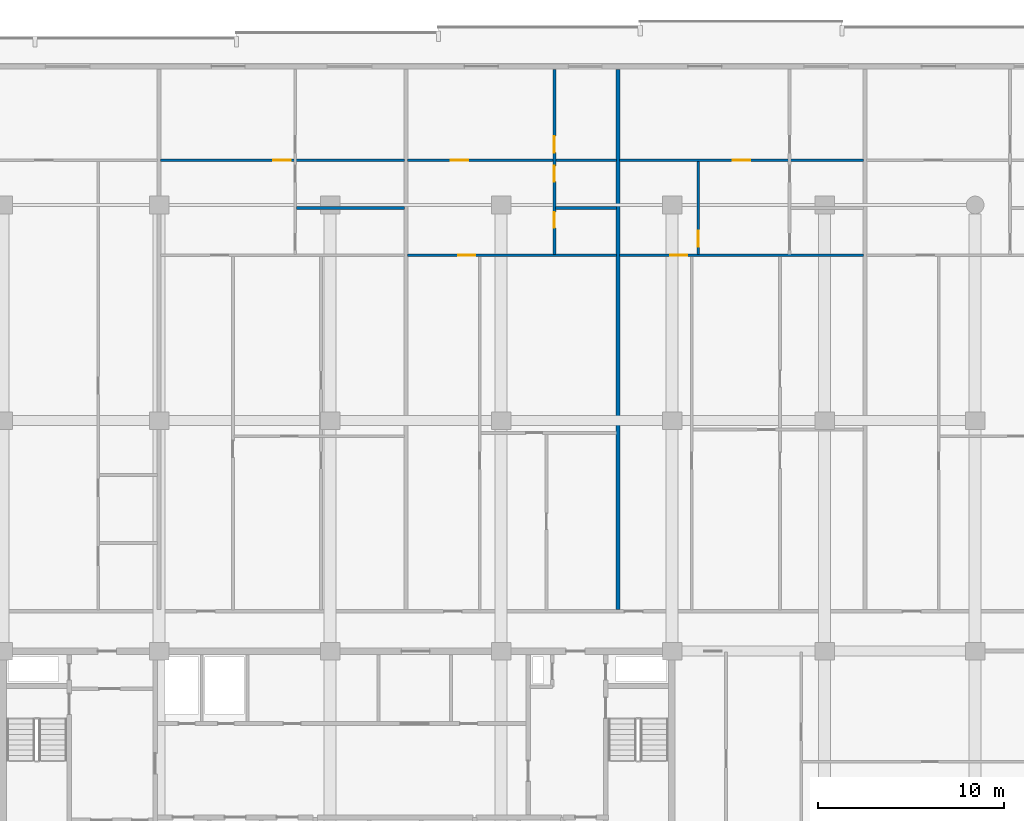
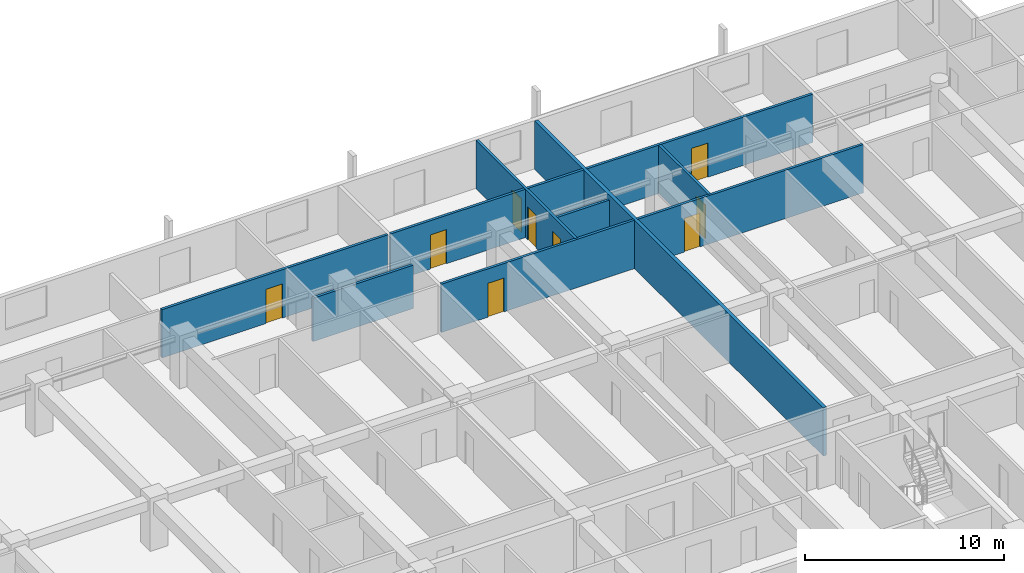
# One storey, part 15 of 23: 10 walls, 9 doors, 9 openings.
"""IFC4 building model written with IfcOpenShell, lengths in metres."""

import ifcopenshell
import ifcopenshell.guid

model = None  # the IFC model being written
_history = None  # IfcOwnerHistory: only IFC2X3 demands one
_inside = {}  # id of a spatial element -> (the spatial element, [elements in it])
_under = {}  # id of a project, library or spatial element -> (it, [spatial elements below it])
_declared = {}  # id of a project -> (the project, [libraries it declares])
_typed = {}  # id of a type object -> (the type object, [elements of that type])
_made_of = {}  # id of a material, layer set ... -> (it, [elements and type objects made of it])


def new_model(schema):
    """Start an empty IFC model of exactly this schema.

    Asked for "IFC4X3", IfcOpenShell would pick the latest addendum, in which some entities
    have other attributes; the version numbers below select the first issue.
    IFC2X3 requires an IfcOwnerHistory on every rooted entity: one is made here for all.
    """
    global model, _history
    if schema == "IFC4X3":
        model = ifcopenshell.file(schema_version=(4, 3, 0, 0))
    else:
        model = ifcopenshell.file(schema=schema)
    _inside.clear()
    _under.clear()
    _declared.clear()
    _typed.clear()
    _made_of.clear()
    _history = None
    if model.schema == "IFC2X3":
        org = make("IfcOrganization", Name="unknown")
        user = make(
            "IfcPersonAndOrganization",
            ThePerson=make("IfcPerson", FamilyName="unknown"),
            TheOrganization=org,
        )
        app = make(
            "IfcApplication",
            ApplicationDeveloper=org,
            Version="unknown",
            ApplicationFullName="unknown",
            ApplicationIdentifier="unknown",
        )
        _history = make(
            "IfcOwnerHistory",
            OwningUser=user,
            OwningApplication=app,
            ChangeAction="ADDED",
            CreationDate=0,
        )
    return model


def make(cls, **values):
    """One entity of the class cls with the attributes given. An attribute that is None is left unset."""
    return model.create_entity(
        cls, **{name: value for name, value in values.items() if value is not None}
    )


def rooted(cls, **values):
    """An entity with a GlobalId (a new one), such as an element, a storey or a relation."""
    return make(cls, GlobalId=ifcopenshell.guid.new(), OwnerHistory=_history, **values)


def si_unit(unit_type, name, prefix=None):
    """IfcSIUnit, for example si_unit("LENGTHUNIT", "METRE", prefix="MILLI")."""
    return make("IfcSIUnit", UnitType=unit_type, Prefix=prefix, Name=name)


def assignment(units):
    """IfcUnitAssignment: the units of a project."""
    return None if units is None else make("IfcUnitAssignment", Units=units)


def point(xyz):
    """IfcCartesianPoint."""
    return None if xyz is None else make("IfcCartesianPoint", Coordinates=xyz)


def direction(xyz):
    """IfcDirection."""
    return None if xyz is None else make("IfcDirection", DirectionRatios=xyz)


def frame(location, z_axis=None, x_axis=None):
    """IfcAxis2Placement3D, a coordinate frame: its origin and axes. An axis left out is left unset."""
    return make(
        "IfcAxis2Placement3D",
        Location=point(location),
        Axis=direction(z_axis),
        RefDirection=direction(x_axis),
    )


def frame_2d(location, x_axis=None):
    """IfcAxis2Placement2D, a coordinate frame in the plane: its origin and x axis."""
    return make(
        "IfcAxis2Placement2D", Location=point(location), RefDirection=direction(x_axis)
    )


def origin():
    """The frame at (0, 0, 0) with its axes left unset."""
    return frame((0.0, 0.0, 0.0))


def place(relative_to, where):
    """IfcLocalPlacement: puts the frame where relative to a parent placement (None: the world)."""
    return make(
        "IfcLocalPlacement", PlacementRelTo=relative_to, RelativePlacement=where
    )


def context(
    kind, dimensions, precision=None, world=None, true_north=None, identifier=None
):
    """IfcGeometricRepresentationContext, for example the 3D "Model" context."""
    return make(
        "IfcGeometricRepresentationContext",
        ContextIdentifier=identifier,
        ContextType=kind,
        CoordinateSpaceDimension=dimensions,
        Precision=precision,
        WorldCoordinateSystem=world,
        TrueNorth=true_north,
    )


def subcontext(parent, identifier, kind, view, scale=None):
    """IfcGeometricRepresentationSubContext, for example "Body" below "Model"."""
    return make(
        "IfcGeometricRepresentationSubContext",
        ContextIdentifier=identifier,
        ContextType=kind,
        ParentContext=parent,
        TargetScale=scale,
        TargetView=view,
    )


def project(units=None, contexts=None):
    """IfcProject with its units and contexts."""
    return rooted(
        "IfcProject",
        Name="project",
        RepresentationContexts=contexts,
        UnitsInContext=assignment(units),
    )


def spatial(cls, under=None, at=None, **own):
    """A site, building, storey or space (cls), placed at a placement, below another one or the project."""
    s = rooted(cls, ObjectPlacement=at, **own)
    if under is not None:
        _under.setdefault(under.id(), (under, []))[1].append(s)
    return s


def profile(cls, at=None, kind="AREA", **sizes):
    """A parametric profile (cls). Its sizes go by their IFC names, for example OverallWidth=200.0."""
    return make(cls, ProfileType=kind, Position=at, **sizes)


def rectangle(**sizes):
    """IfcRectangleProfileDef."""
    return profile("IfcRectangleProfileDef", **sizes)


def extrude(swept, where, along, depth):
    """IfcExtrudedAreaSolid: the profile swept, set in the frame where, extruded along a direction by depth."""
    return make(
        "IfcExtrudedAreaSolid",
        SweptArea=swept,
        Position=where,
        ExtrudedDirection=direction(along),
        Depth=depth,
    )


def shape(context_of_items, identifier, shape_type, items):
    """IfcShapeRepresentation: the items that make up one representation, for example the "Body"."""
    return make(
        "IfcShapeRepresentation",
        ContextOfItems=context_of_items,
        RepresentationIdentifier=identifier,
        RepresentationType=shape_type,
        Items=items,
    )


def material(Name=None, Category=None):
    """IfcMaterial."""
    return make("IfcMaterial", Name=Name, Category=Category)


def layer(
    of_material, thickness, ventilated=None, Name=None, Category=None, Priority=None
):
    """IfcMaterialLayer: one layer of a wall or slab, of a material (None: an air gap)."""
    return make(
        "IfcMaterialLayer",
        Material=of_material,
        LayerThickness=thickness,
        IsVentilated=ventilated,
        Name=Name,
        Category=Category,
        Priority=Priority,
    )


def layer_set(layers, Name=None):
    """IfcMaterialLayerSet."""
    return make("IfcMaterialLayerSet", MaterialLayers=layers, LayerSetName=Name)


def made_of(thing, what):
    """Note that an element or type object is made of a material, layer set ...; save() writes the relation."""
    if what is not None:
        _made_of.setdefault(what.id(), (what, []))[1].append(thing)
    return thing


def type_object(cls, material=None, **own):
    """A type object (cls), such as IfcWallType, which elements share."""
    return made_of(rooted(cls, **own), material)


def element(
    cls,
    number,
    at=None,
    inside=None,
    cuts=None,
    type_object=None,
    material=None,
    context=None,
    identifier="Body",
    shape_type=None,
    held_by="IfcProductDefinitionShape",
    body=None,
    shapes=None,
    **own,
):
    """One element of the class cls, such as IfcWall. Its Tag is "e" and its number.

    at: its placement. inside: the storey or other place that contains it. cuts: it is an
    opening in that element (IfcRelVoidsElement). A single representation is given by context,
    identifier, shape_type and body (its items); several are given by shapes. held_by: the class
    of the entity that holds the representations. save() writes the other relations.
    """
    e = rooted(cls, Tag="e%d" % number, ObjectPlacement=at, **own)
    if body is not None:
        shapes = [shape(context, identifier, shape_type, body)]
    if shapes is not None:
        e.Representation = make(held_by, Representations=shapes)
    if inside is not None:
        _inside.setdefault(inside.id(), (inside, []))[1].append(e)
    if cuts is not None:
        rooted(
            "IfcRelVoidsElement", RelatingBuildingElement=cuts, RelatedOpeningElement=e
        )
    if type_object is not None:
        _typed.setdefault(type_object.id(), (type_object, []))[1].append(e)
    return made_of(e, material)


def fill(opening, filler):
    """IfcRelFillsElement: the door or window that sits in an opening."""
    return rooted(
        "IfcRelFillsElement",
        RelatingOpeningElement=opening,
        RelatedBuildingElement=filler,
    )


def aggregate(whole, parts):
    """IfcRelAggregates: a whole, such as a stair, and the parts it consists of."""
    return rooted("IfcRelAggregates", RelatingObject=whole, RelatedObjects=parts)


def save(model, path):
    """Write the relations noted so far, then the file.

    IfcRelAggregates (storeys below a building ...), IfcRelContainedInSpatialStructure (elements
    in a storey), IfcRelDefinesByType, IfcRelAssociatesMaterial and IfcRelDeclares: one each for
    every whole, place, type object, material and project.
    """
    for whole, parts in _under.values():
        aggregate(whole, parts)
    for where, things in _inside.values():
        rooted(
            "IfcRelContainedInSpatialStructure",
            RelatedElements=things,
            RelatingStructure=where,
        )
    for kind, things in _typed.values():
        rooted("IfcRelDefinesByType", RelatedObjects=things, RelatingType=kind)
    for what, things in _made_of.values():
        rooted("IfcRelAssociatesMaterial", RelatedObjects=things, RelatingMaterial=what)
    for by, libraries in _declared.values():
        rooted("IfcRelDeclares", RelatingContext=by, RelatedDefinitions=libraries)
    model.write(path)


model = new_model("IFC4")

# Units and contexts
model_context = context("Model", 3, precision=1e-05, world=origin(), true_north=direction((0.0, 1.0)))
body_context = subcontext(model_context, "Body", "Model", "MODEL_VIEW")
ifc_project = project(units=[si_unit("LENGTHUNIT", "METRE"), si_unit("AREAUNIT", "SQUARE_METRE"), si_unit("VOLUMEUNIT", "CUBIC_METRE"), si_unit("PLANEANGLEUNIT", "RADIAN"), si_unit("MASSUNIT", "GRAM", prefix="KILO")], contexts=[model_context])

# Site, building, storey
site_placement = place(None, origin())
site = spatial("IfcSite", under=ifc_project, at=site_placement, CompositionType="ELEMENT")
building_placement = place(site_placement, origin())
building = spatial("IfcBuilding", under=site, at=building_placement, Name="Korimba Cascade Residences", CompositionType="ELEMENT")
storey_placement = place(building_placement, frame((0.0, 0.0, 37.0)))
storey = spatial("IfcBuildingStorey", under=building, at=storey_placement, Name="L09", CompositionType="ELEMENT", Elevation=37.0)

# Walls
ifc_material_1 = material(Name="Precast concrete C40/50", Category="concrete")
ifc_layer_1 = layer(ifc_material_1, 0.199951171875)
ifc_layer_set_1 = layer_set([ifc_layer_1], Name="Precast concrete C40/50")
wall_type_1 = type_object("IfcWallType", Name="WAL-IT-200", PredefinedType="PARTITIONING", material=ifc_layer_set_1)
wall_1_placement = place(storey_placement, frame((109.187255859375, 69.429931640625, 0.0), z_axis=(0.0, 0.0, 1.0), x_axis=(0.0, 1.0, 0.0)))
element("IfcWall", 1, at=wall_1_placement, inside=storey, type_object=wall_type_1, Name="L09 Partition Wall WAL-L09-T1-DEM-4", PredefinedType="PARTITIONING", context=body_context, shape_type="SweptSolid", body=[
    extrude(rectangle(XDim=29.070068359375, YDim=0.199951171875, at=frame_2d((14.53515625, 0.0))), origin(), (0.0, 0.0, 1.0), 2.969970703125),
])
ifc_material_2 = material(Name="Insulated Acoustic Stud Partition", Category="gypsum")
ifc_layer_2 = layer(ifc_material_2, 0.14990234375)
ifc_layer_set_2 = layer_set([ifc_layer_2], Name="Insulated Acoustic Stud Partition")
wall_type_2 = type_object("IfcWallType", Name="WAL-PART-150", PredefinedType="PARTITIONING", material=ifc_layer_set_2)
wall_2_placement = place(storey_placement, frame((91.8798828125, 91.0400390625, 0.0), z_axis=(0.0, 0.0, 1.0), x_axis=(1.0, 0.0, 0.0)))
element("IfcWall", 2, at=wall_2_placement, inside=storey, type_object=wall_type_2, Name="L09 Partition Wall WAL-L09-T1-U03-BLDIV", PredefinedType="PARTITIONING", context=body_context, shape_type="SweptSolid", body=[
    extrude(rectangle(XDim=5.822021484375, YDim=0.14990234375, at=frame_2d((2.9111328125, 0.0))), origin(), (0.0, 0.0, 1.0), 2.663330078125),
])

# Wall, opening, door
wall_3_placement = place(storey_placement, frame((84.579345703125, 93.60009765625, 0.0), z_axis=(0.0, 0.0, 1.0), x_axis=(1.0, 0.0, 0.0)))
wall_3 = element("IfcWall", 3, at=wall_3_placement, inside=storey, type_object=wall_type_2, Name="L09 Partition Wall WAL-L09-T1-U03-HZ", PredefinedType="PARTITIONING", context=body_context, shape_type="SweptSolid", body=[
    extrude(rectangle(XDim=13.12255859375, YDim=0.14990234375, at=frame_2d((6.561279296875, 0.0))), origin(), (0.0, 0.0, 1.0), 2.969970703125),
])
opening_1_placement = place(wall_3_placement, frame((6.050537109375, 0.0, 0.0)))
opening_1 = element("IfcOpeningElement", 4, at=opening_1_placement, cuts=wall_3, Name="Opening D-IN0", PredefinedType="OPENING", context=body_context, shape_type="SweptSolid", body=[
    extrude(rectangle(XDim=0.93994140625, YDim=2.10009765625, at=frame_2d((0.469970703125, 1.050048828125))), frame((0.0, 0.0849609375, 0.0), z_axis=(0.0, -1.0, 0.0), x_axis=(1.0, 0.0, 0.0)), (0.0, 0.0, 1.0), 0.169921875),
])
ifc_material_3 = material(Name="Acoustic Timber Living Archway Door", Category="wood")
door_type_1 = type_object("IfcDoorType", Name="DR-INT-950", OperationType="NOTDEFINED", PredefinedType="DOOR", material=ifc_material_3)
door_1_placement = place(opening_1_placement, origin())
door_1 = element("IfcDoor", 5, at=door_1_placement, inside=storey, type_object=door_type_1, Name="L09-T1-U03 Living Archway Door", OperationType="SINGLE_SWING_RIGHT", OverallHeight=2.10009765625, OverallWidth=0.93994140625, PredefinedType="DOOR", context=body_context, shape_type="SweptSolid", body=[
    extrude(rectangle(XDim=0.93994140625, YDim=2.10009765625, at=frame_2d((0.469970703125, 1.050048828125))), frame((0.0, 0.02490234375, 0.0), z_axis=(0.0, -1.0, 0.0), x_axis=(1.0, 0.0, 0.0)), (0.0, 0.0, 1.0), 0.050048828125),
])
fill(opening_1, door_1)

# Wall
wall_4_placement = place(storey_placement, frame((105.8271484375, 91.0400390625, 0.0), z_axis=(0.0, 0.0, 1.0), x_axis=(1.0, 0.0, 0.0)))
element("IfcWall", 6, at=wall_4_placement, inside=storey, type_object=wall_type_2, Name="L09 Partition Wall WAL-L09-T1-U04-BLDIV", PredefinedType="PARTITIONING", context=body_context, shape_type="SweptSolid", body=[
    extrude(rectangle(XDim=3.280029296875, YDim=0.14990234375, at=frame_2d((1.64013671875, 0.0))), origin(), (0.0, 0.0, 1.0), 2.663330078125),
])

# Wall, openings, doors
wall_5_placement = place(storey_placement, frame((105.76708984375, 88.5400390625, 0.0), z_axis=(0.0, 0.0, 1.0), x_axis=(0.0, 1.0, 0.0)))
wall_5 = element("IfcWall", 7, at=wall_5_placement, inside=storey, type_object=wall_type_2, Name="L09 Partition Wall WAL-L09-T1-U04-V1", PredefinedType="PARTITIONING", context=body_context, shape_type="SweptSolid", body=[
    extrude(rectangle(XDim=9.9599609375, YDim=0.14990234375, at=frame_2d((4.97998046875, 0.0))), origin(), (0.0, 0.0, 1.0), 2.969970703125),
])
opening_2_placement = place(wall_5_placement, frame((1.430419921875, 0.0, 0.0)))
opening_2 = element("IfcOpeningElement", 8, at=opening_2_placement, cuts=wall_5, Name="Opening D-BT1", PredefinedType="OPENING", context=body_context, shape_type="SweptSolid", body=[
    extrude(rectangle(XDim=0.840087890625, YDim=2.0400390625, at=frame_2d((0.419921875, 1.02001953125))), frame((0.0, 0.0849609375, 0.0), z_axis=(0.0, -1.0, 0.0), x_axis=(1.0, 0.0, 0.0)), (0.0, 0.0, 1.0), 0.169921875),
])
opening_3_placement = place(wall_5_placement, frame((3.919921875, 0.0, 0.0)))
opening_3 = element("IfcOpeningElement", 9, at=opening_3_placement, cuts=wall_5, Name="Opening D-BT1", PredefinedType="OPENING", context=body_context, shape_type="SweptSolid", body=[
    extrude(rectangle(XDim=0.840087890625, YDim=2.0400390625, at=frame_2d((0.419921875, 1.02001953125))), frame((0.0, 0.0849609375, 0.0), z_axis=(0.0, -1.0, 0.0), x_axis=(1.0, 0.0, 0.0)), (0.0, 0.0, 1.0), 0.169921875),
])
opening_4_placement = place(wall_5_placement, frame((5.47998046875, 0.0, 0.0)))
opening_4 = element("IfcOpeningElement", 10, at=opening_4_placement, cuts=wall_5, Name="Opening D-IN2", PredefinedType="OPENING", context=body_context, shape_type="SweptSolid", body=[
    extrude(rectangle(XDim=0.8798828125, YDim=2.06005859375, at=frame_2d((0.43994140625, 1.030029296875))), frame((0.0, 0.0849609375, 0.0), z_axis=(0.0, -1.0, 0.0), x_axis=(1.0, 0.0, 0.0)), (0.0, 0.0, 1.0), 0.169921875),
])
ifc_material_4 = material(Name="Moisture-Resistant Bathroom Timber Door", Category="wood")
door_type_2 = type_object("IfcDoorType", Name="DR-INT-850", OperationType="NOTDEFINED", PredefinedType="DOOR", material=ifc_material_4)
door_2_placement = place(opening_2_placement, origin())
door_2 = element("IfcDoor", 11, at=door_2_placement, inside=storey, type_object=door_type_2, Name="L09-T1-U04 Bathroom Door", OperationType="SINGLE_SWING_RIGHT", OverallHeight=2.0400390625, OverallWidth=0.840087890625, PredefinedType="DOOR", context=body_context, shape_type="SweptSolid", body=[
    extrude(rectangle(XDim=0.840087890625, YDim=2.0400390625, at=frame_2d((0.419921875, 1.02001953125))), frame((0.0, 0.02490234375, 0.0), z_axis=(0.0, -1.0, 0.0), x_axis=(1.0, 0.0, 0.0)), (0.0, 0.0, 1.0), 0.050048828125),
])
fill(opening_2, door_2)
door_3_placement = place(opening_3_placement, origin())
door_3 = element("IfcDoor", 12, at=door_3_placement, inside=storey, type_object=door_type_2, Name="L09-T1-U04 Laundry Door", OperationType="SINGLE_SWING_LEFT", OverallHeight=2.0400390625, OverallWidth=0.840087890625, PredefinedType="DOOR", context=body_context, shape_type="SweptSolid", body=[
    extrude(rectangle(XDim=0.840087890625, YDim=2.0400390625, at=frame_2d((0.419921875, 1.02001953125))), frame((0.0, 0.02490234375, 0.0), z_axis=(0.0, -1.0, 0.0), x_axis=(1.0, 0.0, 0.0)), (0.0, 0.0, 1.0), 0.050048828125),
])
fill(opening_3, door_3)
ifc_material_5 = material(Name="Acoustic Timber Bedroom Door", Category="wood")
door_type_3 = type_object("IfcDoorType", Name="DR-INT-880", OperationType="NOTDEFINED", PredefinedType="DOOR", material=ifc_material_5)
door_4_placement = place(opening_4_placement, origin())
door_4 = element("IfcDoor", 13, at=door_4_placement, inside=storey, type_object=door_type_3, Name="L09-T1-U04 Bedroom 1 Door", OperationType="SINGLE_SWING_RIGHT", OverallHeight=2.06005859375, OverallWidth=0.8798828125, PredefinedType="DOOR", context=body_context, shape_type="SweptSolid", body=[
    extrude(rectangle(XDim=0.8798828125, YDim=2.06005859375, at=frame_2d((0.43994140625, 1.030029296875))), frame((0.0, 0.02490234375, 0.0), z_axis=(0.0, -1.0, 0.0), x_axis=(1.0, 0.0, 0.0)), (0.0, 0.0, 1.0), 0.050048828125),
])
fill(opening_4, door_4)

# Wall, opening, door
wall_6_placement = place(storey_placement, frame((97.862060546875, 88.5, 0.0), z_axis=(0.0, 0.0, 1.0), x_axis=(1.0, 0.0, 0.0)))
wall_6 = element("IfcWall", 14, at=wall_6_placement, inside=storey, type_object=wall_type_2, Name="L09 Partition Wall WAL-L09-T1-U04-MW", PredefinedType="PARTITIONING", context=body_context, shape_type="SweptSolid", body=[
    extrude(rectangle(XDim=11.2451171875, YDim=0.14990234375, at=frame_2d((5.62255859375, 0.0))), origin(), (0.0, 0.0, 1.0), 2.969970703125),
])
opening_5_placement = place(wall_6_placement, frame((2.719970703125, 0.0, 0.0)))
opening_5 = element("IfcOpeningElement", 15, at=opening_5_placement, cuts=wall_6, Name="Opening D-IN1", PredefinedType="OPENING", context=body_context, shape_type="SweptSolid", body=[
    extrude(rectangle(XDim=0.919921875, YDim=2.080078125, at=frame_2d((0.4599609375, 1.0400390625))), frame((0.0, 0.0849609375, 0.0), z_axis=(0.0, -1.0, 0.0), x_axis=(1.0, 0.0, 0.0)), (0.0, 0.0, 1.0), 0.169921875),
])
ifc_material_6 = material(Name="Acoustic Timber Living Door", Category="wood")
door_type_4 = type_object("IfcDoorType", Name="DR-INT-920", OperationType="NOTDEFINED", PredefinedType="DOOR", material=ifc_material_6)
door_5_placement = place(opening_5_placement, origin())
door_5 = element("IfcDoor", 16, at=door_5_placement, inside=storey, type_object=door_type_4, Name="L09-T1-U04 Kitchen Archway Door", OperationType="SINGLE_SWING_LEFT", OverallHeight=2.080078125, OverallWidth=0.919921875, PredefinedType="DOOR", context=body_context, shape_type="SweptSolid", body=[
    extrude(rectangle(XDim=0.919921875, YDim=2.080078125, at=frame_2d((0.4599609375, 1.0400390625))), frame((0.0, 0.02490234375, 0.0), z_axis=(0.0, -1.0, 0.0), x_axis=(1.0, 0.0, 0.0)), (0.0, 0.0, 1.0), 0.050048828125),
])
fill(opening_5, door_5)

wall_7_placement = place(storey_placement, frame((97.862060546875, 93.60009765625, 0.0), z_axis=(0.0, 0.0, 1.0), x_axis=(1.0, 0.0, 0.0)))
wall_7 = element("IfcWall", 17, at=wall_7_placement, inside=storey, type_object=wall_type_2, Name="L09 Partition Wall WAL-L09-T1-U04-HZ", PredefinedType="PARTITIONING", context=body_context, shape_type="SweptSolid", body=[
    extrude(rectangle(XDim=11.2451171875, YDim=0.14990234375, at=frame_2d((5.62255859375, 0.0))), origin(), (0.0, 0.0, 1.0), 2.969970703125),
])
opening_6_placement = place(wall_7_placement, frame((2.31884765625, 0.0, 0.0)))
opening_6 = element("IfcOpeningElement", 18, at=opening_6_placement, cuts=wall_7, Name="Opening D-IN0", PredefinedType="OPENING", context=body_context, shape_type="SweptSolid", body=[
    extrude(rectangle(XDim=0.93994140625, YDim=2.10009765625, at=frame_2d((0.469970703125, 1.050048828125))), frame((0.0, 0.0849609375, 0.0), z_axis=(0.0, -1.0, 0.0), x_axis=(1.0, 0.0, 0.0)), (0.0, 0.0, 1.0), 0.169921875),
])
door_6_placement = place(opening_6_placement, origin())
door_6 = element("IfcDoor", 19, at=door_6_placement, inside=storey, type_object=door_type_1, Name="L09-T1-U04 Living Archway Door", OperationType="SINGLE_SWING_RIGHT", OverallHeight=2.10009765625, OverallWidth=0.93994140625, PredefinedType="DOOR", context=body_context, shape_type="SweptSolid", body=[
    extrude(rectangle(XDim=0.93994140625, YDim=2.10009765625, at=frame_2d((0.469970703125, 1.050048828125))), frame((0.0, 0.02490234375, 0.0), z_axis=(0.0, -1.0, 0.0), x_axis=(1.0, 0.0, 0.0)), (0.0, 0.0, 1.0), 0.050048828125),
])
fill(opening_6, door_6)

wall_8_placement = place(storey_placement, frame((113.507080078125, 88.5400390625, 0.0), z_axis=(0.0, 0.0, 1.0), x_axis=(0.0, 1.0, 0.0)))
wall_8 = element("IfcWall", 20, at=wall_8_placement, inside=storey, type_object=wall_type_2, Name="L09 Partition Wall WAL-L09-T1-U05-VDIN", PredefinedType="PARTITIONING", context=body_context, shape_type="SweptSolid", body=[
    extrude(rectangle(XDim=5.0, YDim=0.14990234375, at=frame_2d((2.5, 0.0))), origin(), (0.0, 0.0, 1.0), 2.969970703125),
])
opening_7_placement = place(wall_8_placement, frame((0.39990234375, 0.0, 0.0)))
opening_7 = element("IfcOpeningElement", 21, at=opening_7_placement, cuts=wall_8, Name="Opening D-IN2", PredefinedType="OPENING", context=body_context, shape_type="SweptSolid", body=[
    extrude(rectangle(XDim=0.8798828125, YDim=2.06005859375, at=frame_2d((0.43994140625, 1.030029296875))), frame((0.0, 0.0849609375, 0.0), z_axis=(0.0, -1.0, 0.0), x_axis=(1.0, 0.0, 0.0)), (0.0, 0.0, 1.0), 0.169921875),
])
door_7_placement = place(opening_7_placement, origin())
door_7 = element("IfcDoor", 22, at=door_7_placement, inside=storey, type_object=door_type_3, Name="L09-T1-U05 Dining Room Door", OperationType="SINGLE_SWING_LEFT", OverallHeight=2.06005859375, OverallWidth=0.8798828125, PredefinedType="DOOR", context=body_context, shape_type="SweptSolid", body=[
    extrude(rectangle(XDim=0.8798828125, YDim=2.06005859375, at=frame_2d((0.43994140625, 1.030029296875))), frame((0.0, 0.02490234375, 0.0), z_axis=(0.0, -1.0, 0.0), x_axis=(1.0, 0.0, 0.0)), (0.0, 0.0, 1.0), 0.050048828125),
])
fill(opening_7, door_7)

wall_9_placement = place(storey_placement, frame((109.26708984375, 88.5, 0.0), z_axis=(0.0, 0.0, 1.0), x_axis=(1.0, 0.0, 0.0)))
wall_9 = element("IfcWall", 23, at=wall_9_placement, inside=storey, type_object=wall_type_2, Name="L09 Partition Wall WAL-L09-T1-U05-MW", PredefinedType="PARTITIONING", context=body_context, shape_type="SweptSolid", body=[
    extrude(rectangle(XDim=13.122802734375, YDim=0.14990234375, at=frame_2d((6.5615234375, 0.0))), origin(), (0.0, 0.0, 1.0), 2.969970703125),
])
opening_8_placement = place(wall_9_placement, frame((2.719970703125, 0.0, 0.0)))
opening_8 = element("IfcOpeningElement", 24, at=opening_8_placement, cuts=wall_9, Name="Opening D-IN1", PredefinedType="OPENING", context=body_context, shape_type="SweptSolid", body=[
    extrude(rectangle(XDim=0.919921875, YDim=2.080078125, at=frame_2d((0.4599609375, 1.0400390625))), frame((0.0, 0.0849609375, 0.0), z_axis=(0.0, -1.0, 0.0), x_axis=(1.0, 0.0, 0.0)), (0.0, 0.0, 1.0), 0.169921875),
])
door_8_placement = place(opening_8_placement, origin())
door_8 = element("IfcDoor", 25, at=door_8_placement, inside=storey, type_object=door_type_4, Name="L09-T1-U05 Kitchen Archway Door", OperationType="SINGLE_SWING_LEFT", OverallHeight=2.080078125, OverallWidth=0.919921875, PredefinedType="DOOR", context=body_context, shape_type="SweptSolid", body=[
    extrude(rectangle(XDim=0.919921875, YDim=2.080078125, at=frame_2d((0.4599609375, 1.0400390625))), frame((0.0, 0.02490234375, 0.0), z_axis=(0.0, -1.0, 0.0), x_axis=(1.0, 0.0, 0.0)), (0.0, 0.0, 1.0), 0.050048828125),
])
fill(opening_8, door_8)

wall_10_placement = place(storey_placement, frame((109.26708984375, 93.60009765625, 0.0), z_axis=(0.0, 0.0, 1.0), x_axis=(1.0, 0.0, 0.0)))
wall_10 = element("IfcWall", 26, at=wall_10_placement, inside=storey, type_object=wall_type_2, Name="L09 Partition Wall WAL-L09-T1-U05-HZ", PredefinedType="PARTITIONING", context=body_context, shape_type="SweptSolid", body=[
    extrude(rectangle(XDim=13.122802734375, YDim=0.14990234375, at=frame_2d((6.5615234375, 0.0))), origin(), (0.0, 0.0, 1.0), 2.969970703125),
])
opening_9_placement = place(wall_10_placement, frame((6.09130859375, 0.0, 0.0)))
opening_9 = element("IfcOpeningElement", 27, at=opening_9_placement, cuts=wall_10, Name="Opening D-IN0", PredefinedType="OPENING", context=body_context, shape_type="SweptSolid", body=[
    extrude(rectangle(XDim=0.93994140625, YDim=2.10009765625, at=frame_2d((0.469970703125, 1.050048828125))), frame((0.0, 0.0849609375, 0.0), z_axis=(0.0, -1.0, 0.0), x_axis=(1.0, 0.0, 0.0)), (0.0, 0.0, 1.0), 0.169921875),
])
door_9_placement = place(opening_9_placement, origin())
door_9 = element("IfcDoor", 28, at=door_9_placement, inside=storey, type_object=door_type_1, Name="L09-T1-U05 Living Archway Door", OperationType="SINGLE_SWING_RIGHT", OverallHeight=2.10009765625, OverallWidth=0.93994140625, PredefinedType="DOOR", context=body_context, shape_type="SweptSolid", body=[
    extrude(rectangle(XDim=0.93994140625, YDim=2.10009765625, at=frame_2d((0.469970703125, 1.050048828125))), frame((0.0, 0.02490234375, 0.0), z_axis=(0.0, -1.0, 0.0), x_axis=(1.0, 0.0, 0.0)), (0.0, 0.0, 1.0), 0.050048828125),
])
fill(opening_9, door_9)

save(model, "model.ifc")
